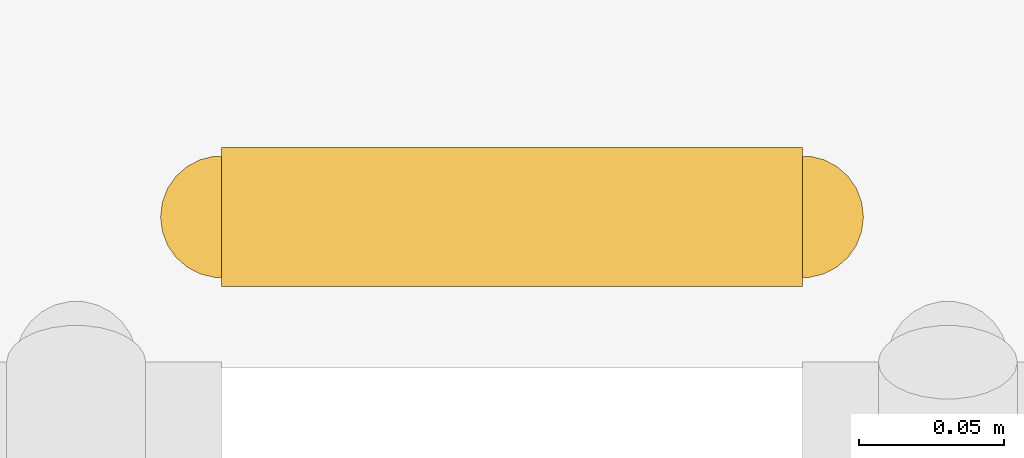
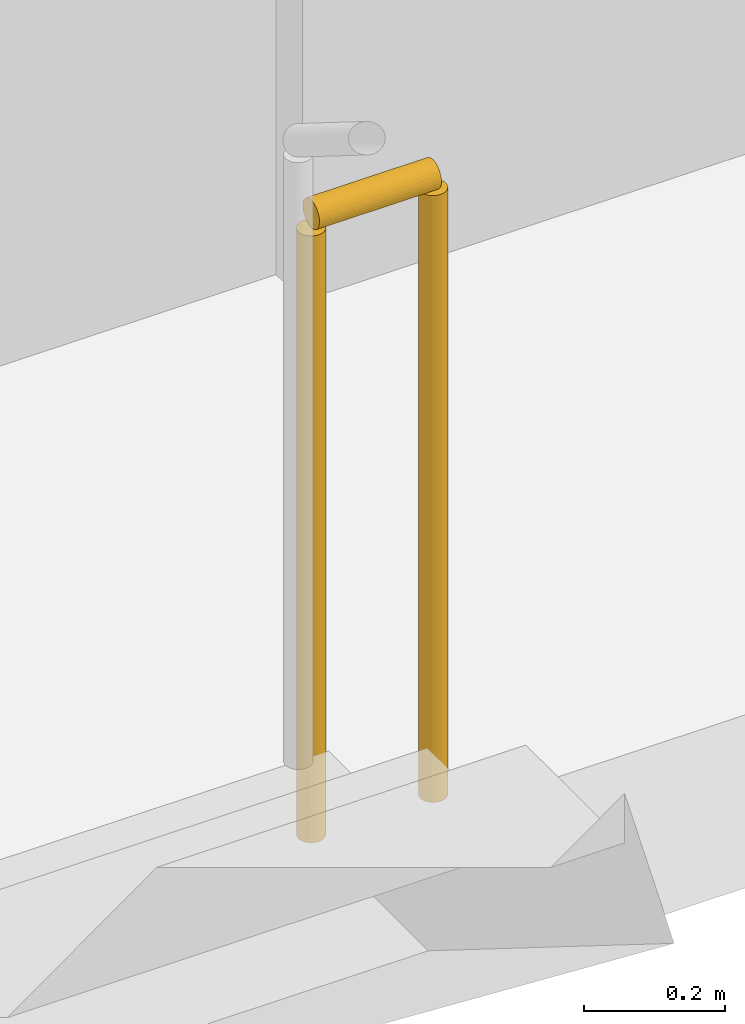
# One storey, part 20 of 22: 1 railing.
"""IFC4 building model written with IfcOpenShell, lengths in metres."""

import ifcopenshell
import ifcopenshell.guid

model = None  # the IFC model being written
_history = None  # IfcOwnerHistory: only IFC2X3 demands one
_inside = {}  # id of a spatial element -> (the spatial element, [elements in it])
_under = {}  # id of a project, library or spatial element -> (it, [spatial elements below it])
_declared = {}  # id of a project -> (the project, [libraries it declares])
_typed = {}  # id of a type object -> (the type object, [elements of that type])
_made_of = {}  # id of a material, layer set ... -> (it, [elements and type objects made of it])


def new_model(schema):
    """Start an empty IFC model of exactly this schema.

    Asked for "IFC4X3", IfcOpenShell would pick the latest addendum, in which some entities
    have other attributes; the version numbers below select the first issue.
    IFC2X3 requires an IfcOwnerHistory on every rooted entity: one is made here for all.
    """
    global model, _history
    if schema == "IFC4X3":
        model = ifcopenshell.file(schema_version=(4, 3, 0, 0))
    else:
        model = ifcopenshell.file(schema=schema)
    _inside.clear()
    _under.clear()
    _declared.clear()
    _typed.clear()
    _made_of.clear()
    _history = None
    if model.schema == "IFC2X3":
        org = make("IfcOrganization", Name="unknown")
        user = make(
            "IfcPersonAndOrganization",
            ThePerson=make("IfcPerson", FamilyName="unknown"),
            TheOrganization=org,
        )
        app = make(
            "IfcApplication",
            ApplicationDeveloper=org,
            Version="unknown",
            ApplicationFullName="unknown",
            ApplicationIdentifier="unknown",
        )
        _history = make(
            "IfcOwnerHistory",
            OwningUser=user,
            OwningApplication=app,
            ChangeAction="ADDED",
            CreationDate=0,
        )
    return model


def make(cls, **values):
    """One entity of the class cls with the attributes given. An attribute that is None is left unset."""
    return model.create_entity(
        cls, **{name: value for name, value in values.items() if value is not None}
    )


def rooted(cls, **values):
    """An entity with a GlobalId (a new one), such as an element, a storey or a relation."""
    return make(cls, GlobalId=ifcopenshell.guid.new(), OwnerHistory=_history, **values)


def si_unit(unit_type, name, prefix=None):
    """IfcSIUnit, for example si_unit("LENGTHUNIT", "METRE", prefix="MILLI")."""
    return make("IfcSIUnit", UnitType=unit_type, Prefix=prefix, Name=name)


def assignment(units):
    """IfcUnitAssignment: the units of a project."""
    return None if units is None else make("IfcUnitAssignment", Units=units)


def point(xyz):
    """IfcCartesianPoint."""
    return None if xyz is None else make("IfcCartesianPoint", Coordinates=xyz)


def direction(xyz):
    """IfcDirection."""
    return None if xyz is None else make("IfcDirection", DirectionRatios=xyz)


def frame(location, z_axis=None, x_axis=None):
    """IfcAxis2Placement3D, a coordinate frame: its origin and axes. An axis left out is left unset."""
    return make(
        "IfcAxis2Placement3D",
        Location=point(location),
        Axis=direction(z_axis),
        RefDirection=direction(x_axis),
    )


def frame_2d(location, x_axis=None):
    """IfcAxis2Placement2D, a coordinate frame in the plane: its origin and x axis."""
    return make(
        "IfcAxis2Placement2D", Location=point(location), RefDirection=direction(x_axis)
    )


def origin():
    """The frame at (0, 0, 0) with its axes left unset."""
    return frame((0.0, 0.0, 0.0))


def origin_2d():
    """The frame at (0, 0) in the plane with its x axis left unset."""
    return frame_2d((0.0, 0.0))


def place(relative_to, where):
    """IfcLocalPlacement: puts the frame where relative to a parent placement (None: the world)."""
    return make(
        "IfcLocalPlacement", PlacementRelTo=relative_to, RelativePlacement=where
    )


def context(
    kind, dimensions, precision=None, world=None, true_north=None, identifier=None
):
    """IfcGeometricRepresentationContext, for example the 3D "Model" context."""
    return make(
        "IfcGeometricRepresentationContext",
        ContextIdentifier=identifier,
        ContextType=kind,
        CoordinateSpaceDimension=dimensions,
        Precision=precision,
        WorldCoordinateSystem=world,
        TrueNorth=true_north,
    )


def subcontext(parent, identifier, kind, view, scale=None):
    """IfcGeometricRepresentationSubContext, for example "Body" below "Model"."""
    return make(
        "IfcGeometricRepresentationSubContext",
        ContextIdentifier=identifier,
        ContextType=kind,
        ParentContext=parent,
        TargetScale=scale,
        TargetView=view,
    )


def project(units=None, contexts=None):
    """IfcProject with its units and contexts."""
    return rooted(
        "IfcProject",
        Name="project",
        RepresentationContexts=contexts,
        UnitsInContext=assignment(units),
    )


def spatial(cls, under=None, at=None, **own):
    """A site, building, storey or space (cls), placed at a placement, below another one or the project."""
    s = rooted(cls, ObjectPlacement=at, **own)
    if under is not None:
        _under.setdefault(under.id(), (under, []))[1].append(s)
    return s


def profile(cls, at=None, kind="AREA", **sizes):
    """A parametric profile (cls). Its sizes go by their IFC names, for example OverallWidth=200.0."""
    return make(cls, ProfileType=kind, Position=at, **sizes)


def circle(**sizes):
    """IfcCircleProfileDef."""
    return profile("IfcCircleProfileDef", **sizes)


def extrude(swept, where, along, depth):
    """IfcExtrudedAreaSolid: the profile swept, set in the frame where, extruded along a direction by depth."""
    return make(
        "IfcExtrudedAreaSolid",
        SweptArea=swept,
        Position=where,
        ExtrudedDirection=direction(along),
        Depth=depth,
    )


def shape(context_of_items, identifier, shape_type, items):
    """IfcShapeRepresentation: the items that make up one representation, for example the "Body"."""
    return make(
        "IfcShapeRepresentation",
        ContextOfItems=context_of_items,
        RepresentationIdentifier=identifier,
        RepresentationType=shape_type,
        Items=items,
    )


def material(Name=None, Category=None):
    """IfcMaterial."""
    return make("IfcMaterial", Name=Name, Category=Category)


def made_of(thing, what):
    """Note that an element or type object is made of a material, layer set ...; save() writes the relation."""
    if what is not None:
        _made_of.setdefault(what.id(), (what, []))[1].append(thing)
    return thing


def type_object(cls, material=None, **own):
    """A type object (cls), such as IfcWallType, which elements share."""
    return made_of(rooted(cls, **own), material)


def element(
    cls,
    number,
    at=None,
    inside=None,
    cuts=None,
    type_object=None,
    material=None,
    context=None,
    identifier="Body",
    shape_type=None,
    held_by="IfcProductDefinitionShape",
    body=None,
    shapes=None,
    **own,
):
    """One element of the class cls, such as IfcWall. Its Tag is "e" and its number.

    at: its placement. inside: the storey or other place that contains it. cuts: it is an
    opening in that element (IfcRelVoidsElement). A single representation is given by context,
    identifier, shape_type and body (its items); several are given by shapes. held_by: the class
    of the entity that holds the representations. save() writes the other relations.
    """
    e = rooted(cls, Tag="e%d" % number, ObjectPlacement=at, **own)
    if body is not None:
        shapes = [shape(context, identifier, shape_type, body)]
    if shapes is not None:
        e.Representation = make(held_by, Representations=shapes)
    if inside is not None:
        _inside.setdefault(inside.id(), (inside, []))[1].append(e)
    if cuts is not None:
        rooted(
            "IfcRelVoidsElement", RelatingBuildingElement=cuts, RelatedOpeningElement=e
        )
    if type_object is not None:
        _typed.setdefault(type_object.id(), (type_object, []))[1].append(e)
    return made_of(e, material)


def aggregate(whole, parts):
    """IfcRelAggregates: a whole, such as a stair, and the parts it consists of."""
    return rooted("IfcRelAggregates", RelatingObject=whole, RelatedObjects=parts)


def save(model, path):
    """Write the relations noted so far, then the file.

    IfcRelAggregates (storeys below a building ...), IfcRelContainedInSpatialStructure (elements
    in a storey), IfcRelDefinesByType, IfcRelAssociatesMaterial and IfcRelDeclares: one each for
    every whole, place, type object, material and project.
    """
    for whole, parts in _under.values():
        aggregate(whole, parts)
    for where, things in _inside.values():
        rooted(
            "IfcRelContainedInSpatialStructure",
            RelatedElements=things,
            RelatingStructure=where,
        )
    for kind, things in _typed.values():
        rooted("IfcRelDefinesByType", RelatedObjects=things, RelatingType=kind)
    for what, things in _made_of.values():
        rooted("IfcRelAssociatesMaterial", RelatedObjects=things, RelatingMaterial=what)
    for by, libraries in _declared.values():
        rooted("IfcRelDeclares", RelatingContext=by, RelatedDefinitions=libraries)
    model.write(path)


model = new_model("IFC4")

# Units and contexts
model_context = context("Model", 3, precision=1e-05, world=origin(), true_north=direction((0.0, 1.0)))
body_context = subcontext(model_context, "Body", "Model", "MODEL_VIEW")
ifc_project = project(units=[si_unit("LENGTHUNIT", "METRE"), si_unit("AREAUNIT", "SQUARE_METRE"), si_unit("VOLUMEUNIT", "CUBIC_METRE"), si_unit("PLANEANGLEUNIT", "RADIAN"), si_unit("MASSUNIT", "GRAM", prefix="KILO")], contexts=[model_context])

# Site, building, storey
site_placement = place(None, origin())
site = spatial("IfcSite", under=ifc_project, at=site_placement, CompositionType="ELEMENT")
building_placement = place(site_placement, origin())
building = spatial("IfcBuilding", under=site, at=building_placement, Name="Kiln Ring Residences", CompositionType="ELEMENT")
storey_placement = place(building_placement, frame((0.0, 0.0, 62.0)))
storey = spatial("IfcBuildingStorey", under=building, at=storey_placement, Name="L15", CompositionType="ELEMENT", Elevation=62.0)

# Railing
ifc_material = material(Name="Stainless steel", Category="steel")
railing_type = type_object("IfcRailingType", Name="CORE-STAIR-GUARD", PredefinedType="GUARDRAIL", material=ifc_material)
railing_placement = place(storey_placement, frame((-22.199951171875, 8.449951171875, 0.0)))
element("IfcRailing", 1, at=railing_placement, inside=storey, type_object=railing_type, Name="L15 W-STN stair guard 4", PredefinedType="GUARDRAIL", context=body_context, shape_type="SweptSolid", body=[
    extrude(circle(Radius=0.02392578125, at=origin_2d()), frame((0.0, 0.0, 1.076171875), z_axis=(1.0, 0.0, 0.0), x_axis=(0.0, 1.0, 0.0)), (0.0, 0.0, 1.0), 0.199951171875),
    extrude(circle(Radius=0.02099609375, at=origin_2d()), origin(), (0.0, 0.0, 1.0), 1.052001953125),
    extrude(circle(Radius=0.02099609375, at=origin_2d()), frame((0.199951171875, 0.0, 0.0)), (0.0, 0.0, 1.0), 1.052001953125),
])

save(model, "model.ifc")
